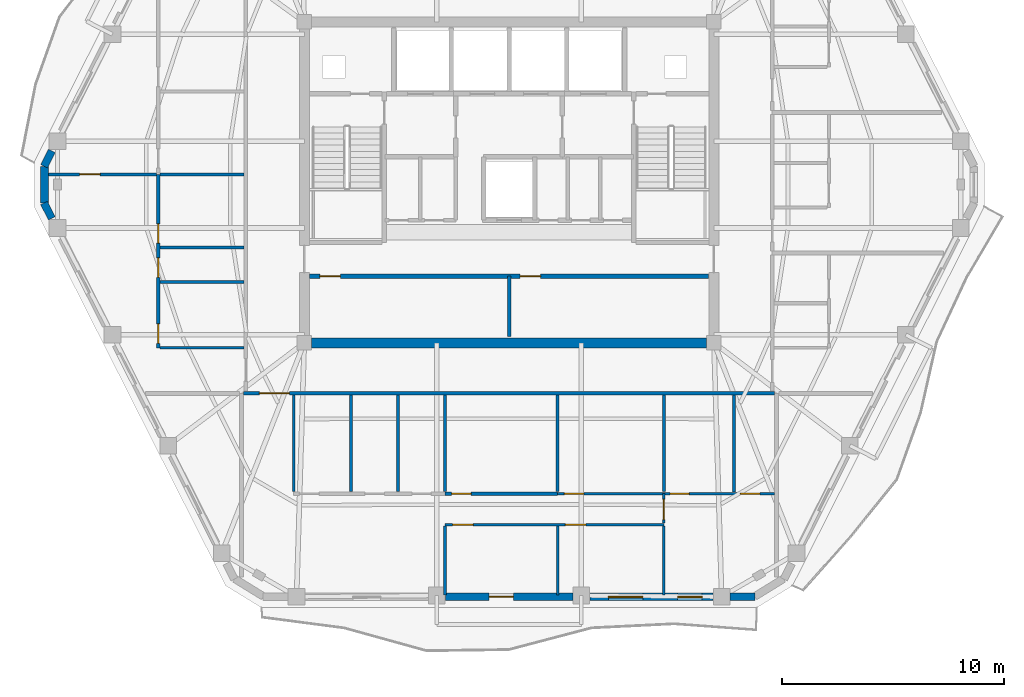
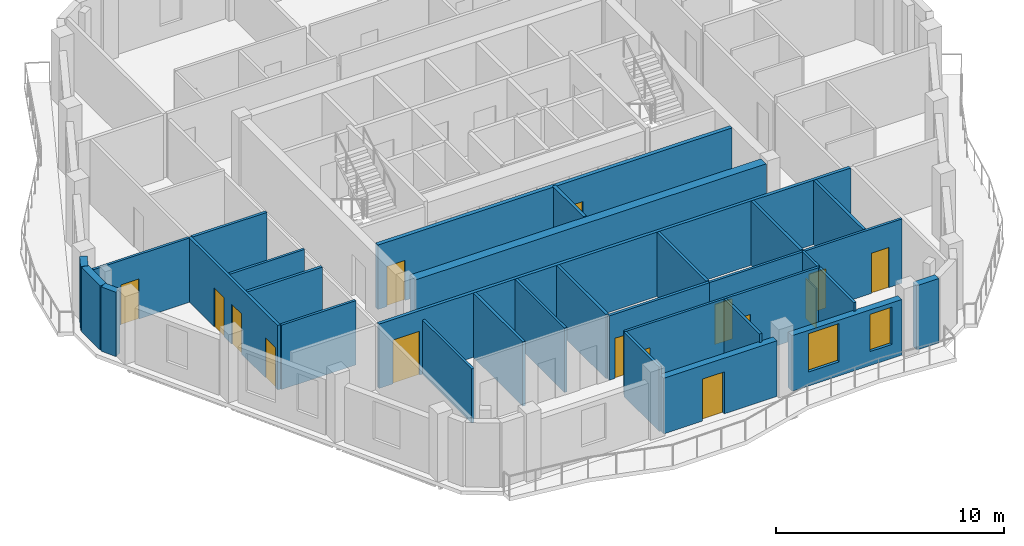
# One storey, part 4 of 11: 30 walls, 15 doors, 2 windows, 17 openings.
"""IFC4 building model written with IfcOpenShell, lengths in metres."""

from ifc_helpers import new_model, si_unit, direction, frame, frame_2d, origin, place, context, subcontext, project, spatial, rectangle, extrude, material, layer, layer_set, type_object, element, fill, save


model = new_model("IFC4")

# Units and contexts
model_context = context("Model", 3, precision=1e-05, world=origin(), true_north=direction((0.0, 1.0)))
body_context = subcontext(model_context, "Body", "Model", "MODEL_VIEW")
ifc_project = project(units=[si_unit("LENGTHUNIT", "METRE"), si_unit("AREAUNIT", "SQUARE_METRE"), si_unit("VOLUMEUNIT", "CUBIC_METRE"), si_unit("PLANEANGLEUNIT", "RADIAN"), si_unit("MASSUNIT", "GRAM", prefix="KILO")], contexts=[model_context])

# Site, building, storey
site_placement = place(None, origin())
site = spatial("IfcSite", under=ifc_project, at=site_placement, CompositionType="ELEMENT")
building_placement = place(site_placement, origin())
building = spatial("IfcBuilding", under=site, at=building_placement, Name="Cinnabar Lancet Tower", CompositionType="ELEMENT")
storey_placement = place(building_placement, frame((0.0, 0.0, 248.89990234375)))
storey = spatial("IfcBuildingStorey", under=building, at=storey_placement, Name="L66", CompositionType="ELEMENT", Elevation=248.89990234375)

# Wall
ifc_material_1 = material(Name="Acoustic twin-stud gypsum partition", Category="gypsum")
ifc_layer_1 = layer(ifc_material_1, 0.159912109375)
ifc_layer_set_1 = layer_set([ifc_layer_1], Name="Acoustic twin-stud gypsum partition")
wall_type_1 = type_object("IfcWallType", Name="ARC-WL-CORR-160", PredefinedType="PARTITIONING", material=ifc_layer_set_1)
wall_1_placement = place(storey_placement, frame((32.39990234375, 18.949951171875, 0.0), z_axis=(0.0, 0.0, 1.0), x_axis=(0.0, 1.0, 0.0)))
element("IfcWall", 1, at=wall_1_placement, inside=storey, type_object=wall_type_1, Name="CW-SB-3240-L66", PredefinedType="PARTITIONING", context=body_context, shape_type="SweptSolid", body=[
    extrude(rectangle(XDim=2.72998046875, YDim=0.159912109375, at=frame_2d((1.364990234375, 0.0))), origin(), (0.0, 0.0, 1.0), 3.4501953125),
])

# Wall, opening, door
wall_2_placement = place(storey_placement, frame((20.445068359375, 16.39990234375, 0.0), z_axis=(0.0, 0.0, 1.0), x_axis=(1.0, 0.0, 0.0)))
wall_2 = element("IfcWall", 2, at=wall_2_placement, inside=storey, type_object=wall_type_1, Name="L66 Unit S01 Corridor Wall", PredefinedType="PARTITIONING", context=body_context, shape_type="SweptSolid", body=[
    extrude(rectangle(XDim=23.909912109375, YDim=0.159912109375, at=frame_2d((11.955078125, 0.0))), origin(), (0.0, 0.0, 1.0), 3.4501953125),
])
opening_1_placement = place(wall_2_placement, frame((0.705078125, 0.0, 0.0)))
opening_1 = element("IfcOpeningElement", 3, at=opening_1_placement, cuts=wall_2, Name="Opening UD-02", PredefinedType="OPENING", context=body_context, shape_type="SweptSolid", body=[
    extrude(rectangle(XDim=1.35009765625, YDim=2.35009765625, at=frame_2d((0.675048828125, 1.175048828125))), frame((0.0, 0.08984375, 0.0), z_axis=(0.0, -1.0, 0.0), x_axis=(1.0, 0.0, 0.0)), (0.0, 0.0, 1.0), 0.179931640625),
])
ifc_material_2 = material(Name="Double-leaf solid timber penthouse entrance door", Category="wood")
door_type_1 = type_object("IfcDoorType", Name="ARC-DR-UNIT-PH", OperationType="NOTDEFINED", PredefinedType="DOOR", material=ifc_material_2)
door_1_placement = place(opening_1_placement, origin())
door_1 = element("IfcDoor", 4, at=door_1_placement, inside=storey, type_object=door_type_1, Name="DR-L66-S01-ENT", OperationType="SINGLE_SWING_LEFT", OverallHeight=2.35009765625, OverallWidth=1.35009765625, PredefinedType="DOOR", context=body_context, shape_type="SweptSolid", body=[
    extrude(rectangle(XDim=1.35009765625, YDim=2.35009765625, at=frame_2d((0.675048828125, 1.175048828125))), frame((0.0, 0.02490234375, 0.0), z_axis=(0.0, -1.0, 0.0), x_axis=(1.0, 0.0, 0.0)), (0.0, 0.0, 1.0), 0.050048828125),
])
fill(opening_1, door_1)

# Wall, openings, doors
ifc_material_3 = material(Name="Autoclaved aerated concrete blockwork", Category="masonry")
ifc_layer_2 = layer(ifc_material_3, 0.199951171875)
ifc_layer_set_2 = layer_set([ifc_layer_2], Name="Autoclaved aerated concrete blockwork")
wall_type_2 = type_object("IfcWallType", Name="ARC-WL-SHAFT-200", PredefinedType="PLUMBINGWALL", material=ifc_layer_set_2)
wall_3_placement = place(storey_placement, frame((23.419921875, 21.679931640625, 0.0), z_axis=(0.0, 0.0, 1.0), x_axis=(1.0, 0.0, 0.0)))
wall_3 = element("IfcWall", 5, at=wall_3_placement, inside=storey, type_object=wall_type_2, Name="CW-SBANDN-L66", PredefinedType="PLUMBINGWALL", context=body_context, shape_type="SweptSolid", body=[
    extrude(rectangle(XDim=17.9599609375, YDim=0.199951171875, at=frame_2d((8.97998046875, 0.0))), origin(), (0.0, 0.0, 1.0), 3.4501953125),
])
opening_2_placement = place(wall_3_placement, frame((0.4599609375, 0.0, 0.0)))
opening_2 = element("IfcOpeningElement", 6, at=opening_2_placement, cuts=wall_3, Name="Opening RD-01", PredefinedType="OPENING", context=body_context, shape_type="SweptSolid", body=[
    extrude(rectangle(XDim=0.919921875, YDim=2.14990234375, at=frame_2d((0.4599609375, 1.074951171875))), frame((0.0, 0.10986328125, 0.0), z_axis=(0.0, -1.0, 0.0), x_axis=(1.0, 0.0, 0.0)), (0.0, 0.0, 1.0), 0.219970703125),
])
opening_3_placement = place(wall_3_placement, frame((9.47998046875, 0.0, 0.0)))
opening_3 = element("IfcOpeningElement", 7, at=opening_3_placement, cuts=wall_3, Name="Opening RD-01", PredefinedType="OPENING", context=body_context, shape_type="SweptSolid", body=[
    extrude(rectangle(XDim=0.919921875, YDim=2.14990234375, at=frame_2d((0.4599609375, 1.074951171875))), frame((0.0, 0.10986328125, 0.0), z_axis=(0.0, -1.0, 0.0), x_axis=(1.0, 0.0, 0.0)), (0.0, 0.0, 1.0), 0.219970703125),
])
ifc_material_4 = material(Name="Engineered timber bedroom door", Category="wood")
door_type_2 = type_object("IfcDoorType", Name="ARC-DR-ROOM", OperationType="NOTDEFINED", PredefinedType="DOOR", material=ifc_material_4)
door_2_placement = place(opening_2_placement, origin())
door_2 = element("IfcDoor", 8, at=door_2_placement, inside=storey, type_object=door_type_2, Name="DR-L66-HREC1", OperationType="SINGLE_SWING_LEFT", OverallHeight=2.14990234375, OverallWidth=0.919921875, PredefinedType="DOOR", context=body_context, shape_type="SweptSolid", body=[
    extrude(rectangle(XDim=0.919921875, YDim=2.14990234375, at=frame_2d((0.4599609375, 1.074951171875))), frame((0.0, 0.02490234375, 0.0), z_axis=(0.0, -1.0, 0.0), x_axis=(1.0, 0.0, 0.0)), (0.0, 0.0, 1.0), 0.050048828125),
])
fill(opening_2, door_2)
door_3_placement = place(opening_3_placement, origin())
door_3 = element("IfcDoor", 9, at=door_3_placement, inside=storey, type_object=door_type_2, Name="DR-L66-HREC2", OperationType="SINGLE_SWING_RIGHT", OverallHeight=2.14990234375, OverallWidth=0.919921875, PredefinedType="DOOR", context=body_context, shape_type="SweptSolid", body=[
    extrude(rectangle(XDim=0.919921875, YDim=2.14990234375, at=frame_2d((0.4599609375, 1.074951171875))), frame((0.0, 0.02490234375, 0.0), z_axis=(0.0, -1.0, 0.0), x_axis=(1.0, 0.0, 0.0)), (0.0, 0.0, 1.0), 0.050048828125),
])
fill(opening_3, door_3)

# Wall
ifc_material_5 = material(Name="Gypsum plasterboard stud partition", Category="gypsum")
ifc_layer_3 = layer(ifc_material_5, 0.125)
ifc_layer_set_3 = layer_set([ifc_layer_3], Name="Gypsum plasterboard stud partition")
wall_type_3 = type_object("IfcWallType", Name="ARC-WL-UNIT-125", PredefinedType="PARTITIONING", material=ifc_layer_set_3)
wall_4_placement = place(storey_placement, frame((22.699951171875, 11.98388671875, 0.0), z_axis=(0.0, 0.0, 1.0), x_axis=(0.0, 1.0, 0.0)))
element("IfcWall", 10, at=wall_4_placement, inside=storey, type_object=wall_type_3, Name="UW-L66-S01-FOYE", PredefinedType="PARTITIONING", context=body_context, shape_type="SweptSolid", body=[
    extrude(rectangle(XDim=4.3310546875, YDim=0.125, at=frame_2d((2.16552734375, 0.0))), origin(), (0.0, 0.0, 1.0), 2.906982421875),
])

# Wall, openings, doors
wall_5_placement = place(storey_placement, frame((34.587890625, 11.87890625, 0.0), z_axis=(0.0, 0.0, 1.0), x_axis=(1.0, 0.0, 0.0)))
wall_5 = element("IfcWall", 11, at=wall_5_placement, inside=storey, type_object=wall_type_3, Name="UW-L66-S01-SP2", PredefinedType="PARTITIONING", context=body_context, shape_type="SweptSolid", body=[
    extrude(rectangle(XDim=9.76708984375, YDim=0.125, at=frame_2d((4.883544921875, 0.0))), origin(), (0.0, 0.0, 1.0), 3.4501953125),
])
opening_4_placement = place(wall_5_placement, frame((5.06201171875, 0.0, 0.0)))
opening_4 = element("IfcOpeningElement", 12, at=opening_4_placement, cuts=wall_5, Name="Opening BD-01", PredefinedType="OPENING", context=body_context, shape_type="SweptSolid", body=[
    extrude(rectangle(XDim=0.860107421875, YDim=2.10009765625, at=frame_2d((0.43017578125, 1.050048828125))), frame((0.0, 0.072509765625, 0.0), z_axis=(0.0, -1.0, 0.0), x_axis=(1.0, 0.0, 0.0)), (0.0, 0.0, 1.0), 0.14501953125),
])
opening_5_placement = place(wall_5_placement, frame((8.22607421875, 0.0, 0.0)))
opening_5 = element("IfcOpeningElement", 13, at=opening_5_placement, cuts=wall_5, Name="Opening RD-02", PredefinedType="OPENING", context=body_context, shape_type="SweptSolid", body=[
    extrude(rectangle(XDim=0.8798828125, YDim=2.14990234375, at=frame_2d((0.43994140625, 1.074951171875))), frame((0.0, 0.072509765625, 0.0), z_axis=(0.0, -1.0, 0.0), x_axis=(1.0, 0.0, 0.0)), (0.0, 0.0, 1.0), 0.14501953125),
])
opening_6_placement = place(wall_5_placement, frame((0.300048828125, 0.0, 0.0)))
opening_6 = element("IfcOpeningElement", 14, at=opening_6_placement, cuts=wall_5, Name="Opening RD-02", PredefinedType="OPENING", context=body_context, shape_type="SweptSolid", body=[
    extrude(rectangle(XDim=0.8798828125, YDim=2.14990234375, at=frame_2d((0.43994140625, 1.074951171875))), frame((0.0, 0.072509765625, 0.0), z_axis=(0.0, -1.0, 0.0), x_axis=(1.0, 0.0, 0.0)), (0.0, 0.0, 1.0), 0.14501953125),
])
ifc_material_6 = material(Name="Moisture-resistant timber bathroom door", Category="wood")
door_type_3 = type_object("IfcDoorType", Name="ARC-DR-BATH", OperationType="NOTDEFINED", PredefinedType="DOOR", material=ifc_material_6)
door_4_placement = place(opening_4_placement, origin())
door_4 = element("IfcDoor", 15, at=door_4_placement, inside=storey, type_object=door_type_3, Name="DR-L66-S01-ENS", OperationType="SINGLE_SWING_RIGHT", OverallHeight=2.10009765625, OverallWidth=0.860107421875, PredefinedType="DOOR", context=body_context, shape_type="SweptSolid", body=[
    extrude(rectangle(XDim=0.860107421875, YDim=2.10009765625, at=frame_2d((0.43017578125, 1.050048828125))), frame((0.0, 0.02490234375, 0.0), z_axis=(0.0, -1.0, 0.0), x_axis=(1.0, 0.0, 0.0)), (0.0, 0.0, 1.0), 0.050048828125),
])
fill(opening_4, door_4)
ifc_material_7 = material(Name="Engineered timber study door", Category="wood")
door_type_4 = type_object("IfcDoorType", Name="ARC-DR-STUDY", OperationType="NOTDEFINED", PredefinedType="DOOR", material=ifc_material_7)
door_5_placement = place(opening_5_placement, origin())
door_5 = element("IfcDoor", 16, at=door_5_placement, inside=storey, type_object=door_type_4, Name="DR-L66-S01-ENS-WDR", OperationType="SINGLE_SWING_LEFT", OverallHeight=2.14990234375, OverallWidth=0.8798828125, PredefinedType="DOOR", context=body_context, shape_type="SweptSolid", body=[
    extrude(rectangle(XDim=0.8798828125, YDim=2.14990234375, at=frame_2d((0.43994140625, 1.074951171875))), frame((0.0, 0.02490234375, 0.0), z_axis=(0.0, -1.0, 0.0), x_axis=(1.0, 0.0, 0.0)), (0.0, 0.0, 1.0), 0.050048828125),
])
fill(opening_5, door_5)
door_6_placement = place(opening_6_placement, origin())
door_6 = element("IfcDoor", 17, at=door_6_placement, inside=storey, type_object=door_type_4, Name="DR-L66-S01-DRS", OperationType="SINGLE_SWING_LEFT", OverallHeight=2.14990234375, OverallWidth=0.8798828125, PredefinedType="DOOR", context=body_context, shape_type="SweptSolid", body=[
    extrude(rectangle(XDim=0.8798828125, YDim=2.14990234375, at=frame_2d((0.43994140625, 1.074951171875))), frame((0.0, 0.02490234375, 0.0), z_axis=(0.0, -1.0, 0.0), x_axis=(1.0, 0.0, 0.0)), (0.0, 0.0, 1.0), 0.050048828125),
])
fill(opening_6, door_6)

# Walls
wall_6_placement = place(storey_placement, frame((27.39794921875, 11.98388671875, 0.0), z_axis=(0.0, 0.0, 1.0), x_axis=(0.0, 1.0, 0.0)))
element("IfcWall", 18, at=wall_6_placement, inside=storey, type_object=wall_type_3, Name="UW-L66-S01-STD", PredefinedType="PARTITIONING", context=body_context, shape_type="SweptSolid", body=[
    extrude(rectangle(XDim=4.3310546875, YDim=0.125, at=frame_2d((2.16552734375, 0.0))), origin(), (0.0, 0.0, 1.0), 3.4501953125),
])
wall_7_placement = place(storey_placement, frame((29.508056640625, 7.31494140625, 0.0), z_axis=(0.0, 0.0, 1.0), x_axis=(0.0, 1.0, 0.0)))
element("IfcWall", 19, at=wall_7_placement, inside=storey, type_object=wall_type_3, Name="UW-L66-S01-BD2W", PredefinedType="PARTITIONING", context=body_context, shape_type="SweptSolid", body=[
    extrude(rectangle(XDim=3.09912109375, YDim=0.125, at=frame_2d((1.549560546875, 0.0))), origin(), (0.0, 0.0, 1.0), 3.4501953125),
])

# Wall, openings, doors
wall_8_placement = place(storey_placement, frame((29.508056640625, 10.47900390625, 0.0), z_axis=(0.0, 0.0, 1.0), x_axis=(1.0, 0.0, 0.0)))
wall_8 = element("IfcWall", 20, at=wall_8_placement, inside=storey, type_object=wall_type_3, Name="UW-L66-S01-HLN", PredefinedType="PARTITIONING", context=body_context, shape_type="SweptSolid", body=[
    extrude(rectangle(XDim=9.862060546875, YDim=0.125, at=frame_2d((4.93115234375, 0.0))), origin(), (0.0, 0.0, 1.0), 3.4501953125),
])
opening_7_placement = place(wall_8_placement, frame((0.35009765625, 0.0, 0.0)))
opening_7 = element("IfcOpeningElement", 21, at=opening_7_placement, cuts=wall_8, Name="Opening RD-01", PredefinedType="OPENING", context=body_context, shape_type="SweptSolid", body=[
    extrude(rectangle(XDim=0.919921875, YDim=2.14990234375, at=frame_2d((0.4599609375, 1.074951171875))), frame((0.0, 0.072509765625, 0.0), z_axis=(0.0, -1.0, 0.0), x_axis=(1.0, 0.0, 0.0)), (0.0, 0.0, 1.0), 0.14501953125),
])
opening_8_placement = place(wall_8_placement, frame((5.429931640625, 0.0, 0.0)))
opening_8 = element("IfcOpeningElement", 22, at=opening_8_placement, cuts=wall_8, Name="Opening RD-01", PredefinedType="OPENING", context=body_context, shape_type="SweptSolid", body=[
    extrude(rectangle(XDim=0.919921875, YDim=2.14990234375, at=frame_2d((0.4599609375, 1.074951171875))), frame((0.0, 0.072509765625, 0.0), z_axis=(0.0, -1.0, 0.0), x_axis=(1.0, 0.0, 0.0)), (0.0, 0.0, 1.0), 0.14501953125),
])
door_7_placement = place(opening_7_placement, origin())
door_7 = element("IfcDoor", 23, at=door_7_placement, inside=storey, type_object=door_type_2, Name="DR-L66-S01-BD2", OperationType="SINGLE_SWING_RIGHT", OverallHeight=2.14990234375, OverallWidth=0.919921875, PredefinedType="DOOR", context=body_context, shape_type="SweptSolid", body=[
    extrude(rectangle(XDim=0.919921875, YDim=2.14990234375, at=frame_2d((0.4599609375, 1.074951171875))), frame((0.0, 0.02490234375, 0.0), z_axis=(0.0, -1.0, 0.0), x_axis=(1.0, 0.0, 0.0)), (0.0, 0.0, 1.0), 0.050048828125),
])
fill(opening_7, door_7)
door_8_placement = place(opening_8_placement, origin())
door_8 = element("IfcDoor", 24, at=door_8_placement, inside=storey, type_object=door_type_2, Name="DR-L66-S01-BD3", OperationType="SINGLE_SWING_LEFT", OverallHeight=2.14990234375, OverallWidth=0.919921875, PredefinedType="DOOR", context=body_context, shape_type="SweptSolid", body=[
    extrude(rectangle(XDim=0.919921875, YDim=2.14990234375, at=frame_2d((0.4599609375, 1.074951171875))), frame((0.0, 0.02490234375, 0.0), z_axis=(0.0, -1.0, 0.0), x_axis=(1.0, 0.0, 0.0)), (0.0, 0.0, 1.0), 0.050048828125),
])
fill(opening_8, door_8)

# Wall, opening, door
wall_9_placement = place(storey_placement, frame((39.3701171875, 10.549072265625, 0.0), z_axis=(0.0, 0.0, 1.0), x_axis=(0.0, 1.0, 0.0)))
wall_9 = element("IfcWall", 25, at=wall_9_placement, inside=storey, type_object=wall_type_3, Name="UW-L66-S01-MBE", PredefinedType="PARTITIONING", context=body_context, shape_type="SweptSolid", body=[
    extrude(rectangle(XDim=1.329833984375, YDim=0.125, at=frame_2d((0.6650390625, 0.0))), origin(), (0.0, 0.0, 1.0), 3.4501953125),
])
opening_9_placement = place(wall_9_placement, frame((0.159912109375, 0.0, 0.0)))
opening_9 = element("IfcOpeningElement", 26, at=opening_9_placement, cuts=wall_9, Name="Opening RD-01", PredefinedType="OPENING", context=body_context, shape_type="SweptSolid", body=[
    extrude(rectangle(XDim=0.919921875, YDim=2.14990234375, at=frame_2d((0.4599609375, 1.074951171875))), frame((0.0, 0.072509765625, 0.0), z_axis=(0.0, -1.0, 0.0), x_axis=(1.0, 0.0, 0.0)), (0.0, 0.0, 1.0), 0.14501953125),
])
door_9_placement = place(opening_9_placement, origin())
door_9 = element("IfcDoor", 27, at=door_9_placement, inside=storey, type_object=door_type_2, Name="DR-L66-S01-MBD", OperationType="SINGLE_SWING_RIGHT", OverallHeight=2.14990234375, OverallWidth=0.919921875, PredefinedType="DOOR", context=body_context, shape_type="SweptSolid", body=[
    extrude(rectangle(XDim=0.919921875, YDim=2.14990234375, at=frame_2d((0.4599609375, 1.074951171875))), frame((0.0, 0.02490234375, 0.0), z_axis=(0.0, -1.0, 0.0), x_axis=(1.0, 0.0, 0.0)), (0.0, 0.0, 1.0), 0.050048828125),
])
fill(opening_9, door_9)

# Walls
for number, where, z_axis, x_axis, name in (
    (28, (34.587890625, 7.31494140625, 0.0), (0.0, 0.0, 1.0), (0.0, 1.0, 0.0), "UW-L66-S01-MB2W"),
    (29, (39.3701171875, 7.31494140625, 0.0), (0.0, 0.0, 1.0), (0.0, 1.0, 0.0), "UW-L66-S01-B23W"),
):
    element("IfcWall", number, at=place(storey_placement, frame(where, z_axis=z_axis, x_axis=x_axis)), inside=storey, type_object=wall_type_3, Name=name, PredefinedType="PARTITIONING", context=body_context, shape_type="SweptSolid", body=[
        extrude(rectangle(XDim=3.09912109375, YDim=0.125, at=frame_2d((1.549560546875, 0.0))), origin(), (0.0, 0.0, 1.0), 3.4501953125),
    ])
wall_10_placement = place(storey_placement, frame((16.68505859375, 18.449951171875, 0.0), z_axis=(0.0, 0.0, 1.0), x_axis=(1.0, 0.0, 0.0)))
element("IfcWall", 30, at=wall_10_placement, inside=storey, type_object=wall_type_3, Name="UW-L66-W01-FOYN", PredefinedType="PARTITIONING", context=body_context, shape_type="SweptSolid", body=[
    extrude(rectangle(XDim=3.780029296875, YDim=0.125, at=frame_2d((1.89013671875, 0.0))), origin(), (0.0, 0.0, 1.0), 3.4501953125),
])

# Wall, opening, door
wall_11_placement = place(storey_placement, frame((11.659912109375, 26.258056640625, 0.0), z_axis=(0.0, 0.0, 1.0), x_axis=(1.0, 0.0, 0.0)))
wall_11 = element("IfcWall", 31, at=wall_11_placement, inside=storey, type_object=wall_type_3, Name="UW-L66-W01-MBN", PredefinedType="PARTITIONING", context=body_context, shape_type="SweptSolid", body=[
    extrude(rectangle(XDim=4.864990234375, YDim=0.125, at=frame_2d((2.4326171875, 0.0))), origin(), (0.0, 0.0, 1.0), 3.4501953125),
])
opening_10_placement = place(wall_11_placement, frame((1.39990234375, 0.0, 0.0)))
opening_10 = element("IfcOpeningElement", 32, at=opening_10_placement, cuts=wall_11, Name="Opening RD-01", PredefinedType="OPENING", context=body_context, shape_type="SweptSolid", body=[
    extrude(rectangle(XDim=0.919921875, YDim=2.14990234375, at=frame_2d((0.4599609375, 1.074951171875))), frame((0.0, 0.072509765625, 0.0), z_axis=(0.0, -1.0, 0.0), x_axis=(1.0, 0.0, 0.0)), (0.0, 0.0, 1.0), 0.14501953125),
])
door_10_placement = place(opening_10_placement, origin())
door_10 = element("IfcDoor", 33, at=door_10_placement, inside=storey, type_object=door_type_2, Name="DR-L66-W01-MBD", OperationType="SINGLE_SWING_LEFT", OverallHeight=2.14990234375, OverallWidth=0.919921875, PredefinedType="DOOR", context=body_context, shape_type="SweptSolid", body=[
    extrude(rectangle(XDim=0.919921875, YDim=2.14990234375, at=frame_2d((0.4599609375, 1.074951171875))), frame((0.0, 0.02490234375, 0.0), z_axis=(0.0, -1.0, 0.0), x_axis=(1.0, 0.0, 0.0)), (0.0, 0.0, 1.0), 0.050048828125),
])
fill(opening_10, door_10)

# Wall
wall_12_placement = place(storey_placement, frame((16.68505859375, 22.967041015625, 0.0), z_axis=(0.0, 0.0, 1.0), x_axis=(1.0, 0.0, 0.0)))
element("IfcWall", 34, at=wall_12_placement, inside=storey, type_object=wall_type_3, Name="UW-L66-W01-UDV", PredefinedType="PARTITIONING", context=body_context, shape_type="SweptSolid", body=[
    extrude(rectangle(XDim=3.780029296875, YDim=0.125, at=frame_2d((1.89013671875, 0.0))), origin(), (0.0, 0.0, 1.0), 3.4501953125),
])

# Wall, opening, door
ifc_material_8 = material(Name="Moisture-resistant cement-board plumbing wall", Category="masonry")
ifc_layer_4 = layer(ifc_material_8, 0.139892578125)
ifc_layer_set_4 = layer_set([ifc_layer_4], Name="Moisture-resistant cement-board plumbing wall")
wall_type_4 = type_object("IfcWallType", Name="ARC-WL-WET-140", PredefinedType="PLUMBINGWALL", material=ifc_layer_set_4)
wall_13_placement = place(storey_placement, frame((29.508056640625, 11.87890625, 0.0), z_axis=(0.0, 0.0, 1.0), x_axis=(1.0, 0.0, 0.0)))
wall_13 = element("IfcWall", 35, at=wall_13_placement, inside=storey, type_object=wall_type_4, Name="UW-L66-S01-SPM", PredefinedType="PLUMBINGWALL", context=body_context, shape_type="SweptSolid", body=[
    extrude(rectangle(XDim=5.079833984375, YDim=0.139892578125, at=frame_2d((2.5400390625, 0.0))), origin(), (0.0, 0.0, 1.0), 3.4501953125),
])
opening_11_placement = place(wall_13_placement, frame((0.300048828125, 0.0, 0.0)))
opening_11 = element("IfcOpeningElement", 36, at=opening_11_placement, cuts=wall_13, Name="Opening RD-02", PredefinedType="OPENING", context=body_context, shape_type="SweptSolid", body=[
    extrude(rectangle(XDim=0.8798828125, YDim=2.14990234375, at=frame_2d((0.43994140625, 1.074951171875))), frame((0.0, 0.079833984375, 0.0), z_axis=(0.0, -1.0, 0.0), x_axis=(1.0, 0.0, 0.0)), (0.0, 0.0, 1.0), 0.159912109375),
])
door_11_placement = place(opening_11_placement, origin())
door_11 = element("IfcDoor", 37, at=door_11_placement, inside=storey, type_object=door_type_4, Name="DR-L66-S01-UTL", OperationType="SINGLE_SWING_LEFT", OverallHeight=2.14990234375, OverallWidth=0.8798828125, PredefinedType="DOOR", context=body_context, shape_type="SweptSolid", body=[
    extrude(rectangle(XDim=0.8798828125, YDim=2.14990234375, at=frame_2d((0.43994140625, 1.074951171875))), frame((0.0, 0.02490234375, 0.0), z_axis=(0.0, -1.0, 0.0), x_axis=(1.0, 0.0, 0.0)), (0.0, 0.0, 1.0), 0.050048828125),
])
fill(opening_11, door_11)

# Walls
for number, where, z_axis, x_axis, name in (
    (38, (25.287109375, 11.98388671875, 0.0), (0.0, 0.0, 1.0), (0.0, 1.0, 0.0), "UW-L66-S01-KDV"),
    (39, (29.508056640625, 11.98388671875, 0.0), (0.0, 0.0, 1.0), (0.0, 1.0, 0.0), "UW-L66-S01-ENSW"),
    (40, (34.587890625, 11.98388671875, 0.0), (0.0, 0.0, 1.0), (0.0, 1.0, 0.0), "UW-L66-S01-ENSE"),
    (41, (39.3701171875, 11.98388671875, 0.0), (0.0, 0.0, 1.0), (0.0, 1.0, 0.0), "UW-L66-S01-UT3"),
):
    element("IfcWall", number, at=place(storey_placement, frame(where, z_axis=z_axis, x_axis=x_axis)), inside=storey, type_object=wall_type_4, Name=name, PredefinedType="PLUMBINGWALL", context=body_context, shape_type="SweptSolid", body=[
        extrude(rectangle(XDim=4.3310546875, YDim=0.139892578125, at=frame_2d((2.16552734375, 0.0))), origin(), (0.0, 0.0, 1.0), 3.4501953125),
    ])
wall_14_placement = place(storey_placement, frame((42.533935546875, 11.964111328125, 0.0), z_axis=(0.0, 0.0, 1.0), x_axis=(0.0, 1.0, 0.0)))
element("IfcWall", 42, at=wall_14_placement, inside=storey, type_object=wall_type_4, Name="UW-L66-S01-ENS-WDV", PredefinedType="PLUMBINGWALL", context=body_context, shape_type="SweptSolid", body=[
    extrude(rectangle(XDim=4.350830078125, YDim=0.139892578125, at=frame_2d((2.17529296875, 0.0))), origin(), (0.0, 0.0, 1.0), 3.4501953125),
])

# Wall, openings, doors
wall_15_placement = place(storey_placement, frame((16.60009765625, 18.449951171875, 0.0), z_axis=(0.0, 0.0, 1.0), x_axis=(0.0, 1.0, 0.0)))
wall_15 = element("IfcWall", 43, at=wall_15_placement, inside=storey, type_object=wall_type_4, Name="UW-L66-W01-SPL", PredefinedType="PLUMBINGWALL", context=body_context, shape_type="SweptSolid", body=[
    extrude(rectangle(XDim=7.80810546875, YDim=0.139892578125, at=frame_2d((3.904052734375, 0.0))), origin(), (0.0, 0.0, 1.0), 3.4501953125),
])
opening_12_placement = place(wall_15_placement, frame((0.199951171875, 0.0, 0.0)))
opening_12 = element("IfcOpeningElement", 44, at=opening_12_placement, cuts=wall_15, Name="Opening RD-02", PredefinedType="OPENING", context=body_context, shape_type="SweptSolid", body=[
    extrude(rectangle(XDim=0.8798828125, YDim=2.14990234375, at=frame_2d((0.43994140625, 1.074951171875))), frame((0.0, 0.079833984375, 0.0), z_axis=(0.0, -1.0, 0.0), x_axis=(1.0, 0.0, 0.0)), (0.0, 0.0, 1.0), 0.159912109375),
])
opening_13_placement = place(wall_15_placement, frame((3.1669921875, 0.0, 0.0)))
opening_13 = element("IfcOpeningElement", 45, at=opening_13_placement, cuts=wall_15, Name="Opening RD-02", PredefinedType="OPENING", context=body_context, shape_type="SweptSolid", body=[
    extrude(rectangle(XDim=0.8798828125, YDim=2.14990234375, at=frame_2d((0.43994140625, 1.074951171875))), frame((0.0, 0.079833984375, 0.0), z_axis=(0.0, -1.0, 0.0), x_axis=(1.0, 0.0, 0.0)), (0.0, 0.0, 1.0), 0.159912109375),
])
opening_14_placement = place(wall_15_placement, frame((4.717041015625, 0.0, 0.0)))
opening_14 = element("IfcOpeningElement", 46, at=opening_14_placement, cuts=wall_15, Name="Opening BD-01", PredefinedType="OPENING", context=body_context, shape_type="SweptSolid", body=[
    extrude(rectangle(XDim=0.860107421875, YDim=2.10009765625, at=frame_2d((0.43017578125, 1.050048828125))), frame((0.0, 0.079833984375, 0.0), z_axis=(0.0, -1.0, 0.0), x_axis=(1.0, 0.0, 0.0)), (0.0, 0.0, 1.0), 0.159912109375),
])
door_12_placement = place(opening_14_placement, origin())
door_12 = element("IfcDoor", 47, at=door_12_placement, inside=storey, type_object=door_type_3, Name="DR-L66-W01-BTH", OperationType="SINGLE_SWING_RIGHT", OverallHeight=2.10009765625, OverallWidth=0.860107421875, PredefinedType="DOOR", context=body_context, shape_type="SweptSolid", body=[
    extrude(rectangle(XDim=0.860107421875, YDim=2.10009765625, at=frame_2d((0.43017578125, 1.050048828125))), frame((0.0, 0.02490234375, 0.0), z_axis=(0.0, -1.0, 0.0), x_axis=(1.0, 0.0, 0.0)), (0.0, 0.0, 1.0), 0.050048828125),
])
fill(opening_14, door_12)
door_13_placement = place(opening_12_placement, origin())
door_13 = element("IfcDoor", 48, at=door_13_placement, inside=storey, type_object=door_type_4, Name="DR-L66-W01-KIT", OperationType="SINGLE_SWING_RIGHT", OverallHeight=2.14990234375, OverallWidth=0.8798828125, PredefinedType="DOOR", context=body_context, shape_type="SweptSolid", body=[
    extrude(rectangle(XDim=0.8798828125, YDim=2.14990234375, at=frame_2d((0.43994140625, 1.074951171875))), frame((0.0, 0.02490234375, 0.0), z_axis=(0.0, -1.0, 0.0), x_axis=(1.0, 0.0, 0.0)), (0.0, 0.0, 1.0), 0.050048828125),
])
fill(opening_12, door_13)
door_14_placement = place(opening_13_placement, origin())
door_14 = element("IfcDoor", 49, at=door_14_placement, inside=storey, type_object=door_type_4, Name="DR-L66-W01-UTL", OperationType="SINGLE_SWING_LEFT", OverallHeight=2.14990234375, OverallWidth=0.8798828125, PredefinedType="DOOR", context=body_context, shape_type="SweptSolid", body=[
    extrude(rectangle(XDim=0.8798828125, YDim=2.14990234375, at=frame_2d((0.43994140625, 1.074951171875))), frame((0.0, 0.02490234375, 0.0), z_axis=(0.0, -1.0, 0.0), x_axis=(1.0, 0.0, 0.0)), (0.0, 0.0, 1.0), 0.050048828125),
])
fill(opening_13, door_14)

# Walls
for number, where, z_axis, x_axis, name in (
    (50, (16.68505859375, 26.258056640625, 0.0), (0.0, 0.0, 1.0), (1.0, 0.0, 0.0), "UW-L66-W01-ENSN"),
    (51, (16.68505859375, 21.4169921875, 0.0), (0.0, 0.0, 1.0), (1.0, 0.0, 0.0), "UW-L66-W01-KDV"),
):
    element("IfcWall", number, at=place(storey_placement, frame(where, z_axis=z_axis, x_axis=x_axis)), inside=storey, type_object=wall_type_4, Name=name, PredefinedType="PLUMBINGWALL", context=body_context, shape_type="SweptSolid", body=[
        extrude(rectangle(XDim=3.780029296875, YDim=0.139892578125, at=frame_2d((1.89013671875, 0.0))), origin(), (0.0, 0.0, 1.0), 3.4501953125),
    ])
ifc_material_9 = material(Name="Cinnabar red clay brick", Category="masonry")
ifc_layer_5 = layer(ifc_material_9, 0.340087890625)
ifc_layer_set_5 = layer_set([ifc_layer_5], Name="Cinnabar red clay brick")
wall_type_5 = type_object("IfcWallType", Name="ENV-WL-BRK-RED-340", PredefinedType="STANDARD", material=ifc_layer_set_5)
wall_16_placement = place(storey_placement, frame((11.47705078125, 26.6201171875, 0.0), z_axis=(0.0, 0.0, 1.0), x_axis=(0.0, -1.0, 0.0)))
element("IfcWall", 52, at=wall_16_placement, inside=storey, type_object=wall_type_5, Name="L66 Chamfered Corner Brick Pier 6.1", PredefinedType="STANDARD", context=body_context, shape_type="SweptSolid", body=[
    extrude(rectangle(XDim=1.64013671875, YDim=0.340087890625, at=frame_2d((0.820068359375, 0.0))), origin(), (0.0, 0.0, 1.0), 3.4501953125),
])

# Wall, opening, door
wall_17_placement = place(storey_placement, frame((29.52490234375, 7.22998046875, 0.0), z_axis=(0.0, 0.0, 1.0), x_axis=(1.0, 0.0, 0.0)))
wall_17 = element("IfcWall", 53, at=wall_17_placement, inside=storey, type_object=wall_type_5, Name="L66 Face 1 Masonry Bay Wall 3", PredefinedType="STANDARD", context=body_context, shape_type="SweptSolid", body=[
    extrude(rectangle(XDim=5.75, YDim=0.340087890625, at=frame_2d((2.875, 0.0))), origin(), (0.0, 0.0, 1.0), 2.983154296875),
])
opening_15_placement = place(wall_17_placement, frame((1.972900390625, 0.0, 0.0)))
opening_15 = element("IfcOpeningElement", 54, at=opening_15_placement, cuts=wall_17, Name="Opening TD-01", PredefinedType="OPENING", context=body_context, shape_type="SweptSolid", body=[
    extrude(rectangle(XDim=1.10009765625, YDim=2.25, at=frame_2d((0.550048828125, 1.125))), frame((0.0, 0.179931640625, 0.0), z_axis=(0.0, -1.0, 0.0), x_axis=(1.0, 0.0, 0.0)), (0.0, 0.0, 1.0), 0.360107421875),
])
ifc_material_10 = material(Name="Thermally broken low-E glazed balcony terrace door", Category="wood")
door_type_5 = type_object("IfcDoorType", Name="ARC-DR-BALC", OperationType="NOTDEFINED", PredefinedType="DOOR", material=ifc_material_10)
door_15_placement = place(opening_15_placement, origin())
door_15 = element("IfcDoor", 55, at=door_15_placement, inside=storey, type_object=door_type_5, Name="L66 Face 1 Glazed Terrace Door", OperationType="SINGLE_SWING_RIGHT", OverallHeight=2.25, OverallWidth=1.10009765625, PredefinedType="DOOR", context=body_context, shape_type="SweptSolid", body=[
    extrude(rectangle(XDim=1.10009765625, YDim=2.25, at=frame_2d((0.550048828125, 1.125))), frame((0.0, 0.02490234375, 0.0), z_axis=(0.0, -1.0, 0.0), x_axis=(1.0, 0.0, 0.0)), (0.0, 0.0, 1.0), 0.050048828125),
])
fill(opening_15, door_15)

# Wall, openings, windows
wall_18_placement = place(storey_placement, frame((36.032958984375, 7.22998046875, 0.0), z_axis=(0.0, 0.0, 1.0), x_axis=(1.0, 0.0, 0.0)))
wall_18 = element("IfcWall", 56, at=wall_18_placement, inside=storey, type_object=wall_type_5, Name="L66 Face 1 Masonry Bay Wall 4", PredefinedType="STANDARD", context=body_context, shape_type="SweptSolid", body=[
    extrude(rectangle(XDim=5.56005859375, YDim=0.340087890625, at=frame_2d((2.780029296875, 0.0))), origin(), (0.0, 0.0, 1.0), 2.983154296875),
])
opening_16_placement = place(wall_18_placement, frame((0.8369140625, 0.0, 0.75)))
opening_16 = element("IfcOpeningElement", 57, at=opening_16_placement, cuts=wall_18, Name="Opening WN-01", PredefinedType="OPENING", context=body_context, shape_type="SweptSolid", body=[
    extrude(rectangle(XDim=1.550048828125, YDim=2.050048828125, at=frame_2d((0.77490234375, 1.02490234375))), frame((0.0, 0.179931640625, 0.0), z_axis=(0.0, -1.0, 0.0), x_axis=(1.0, 0.0, 0.0)), (0.0, 0.0, 1.0), 0.360107421875),
])
opening_17_placement = place(wall_18_placement, frame((3.955078125, 0.0, 0.75)))
opening_17 = element("IfcOpeningElement", 58, at=opening_17_placement, cuts=wall_18, Name="Opening WN-04", PredefinedType="OPENING", context=body_context, shape_type="SweptSolid", body=[
    extrude(rectangle(XDim=1.10009765625, YDim=2.0, at=frame_2d((0.550048828125, 1.0))), frame((0.0, 0.179931640625, 0.0), z_axis=(0.0, -1.0, 0.0), x_axis=(1.0, 0.0, 0.0)), (0.0, 0.0, 1.0), 0.360107421875),
])
ifc_material_11 = material(Name="Thermally broken bronze-anodized aluminium tall lancet window", Category="aluminium")
window_type_1 = type_object("IfcWindowType", Name="ENV-WN-LANCET-1100", PartitioningType="SINGLE_PANEL", PredefinedType="WINDOW", material=ifc_material_11)
window_1_placement = place(opening_17_placement, origin())
window_1 = element("IfcWindow", 59, at=window_1_placement, inside=storey, type_object=window_type_1, Name="L66 Split-Bay Gothic Lancet Window 233", OverallHeight=2.0, OverallWidth=1.10009765625, PartitioningType="SINGLE_PANEL", PredefinedType="WINDOW", context=body_context, shape_type="SweptSolid", body=[
    extrude(rectangle(XDim=1.10009765625, YDim=2.0, at=frame_2d((0.550048828125, 1.0))), frame((0.0, 0.030029296875, 0.0), z_axis=(0.0, -1.0, 0.0), x_axis=(1.0, 0.0, 0.0)), (0.0, 0.0, 1.0), 0.06005859375),
])
fill(opening_17, window_1)
ifc_material_12 = material(Name="Thermally broken bronze-anodized aluminium low-E double glazing", Category="aluminium")
window_type_2 = type_object("IfcWindowType", Name="ENV-WN-LANCET-1550", PartitioningType="SINGLE_PANEL", PredefinedType="WINDOW", material=ifc_material_12)
window_2_placement = place(opening_16_placement, origin())
window_2 = element("IfcWindow", 60, at=window_2_placement, inside=storey, type_object=window_type_2, Name="L66 Face 1 Gothic Lancet Window 4", OverallHeight=2.050048828125, OverallWidth=1.550048828125, PartitioningType="SINGLE_PANEL", PredefinedType="WINDOW", context=body_context, shape_type="SweptSolid", body=[
    extrude(rectangle(XDim=1.550048828125, YDim=2.050048828125, at=frame_2d((0.77490234375, 1.02490234375))), frame((0.0, 0.030029296875, 0.0), z_axis=(0.0, -1.0, 0.0), x_axis=(1.0, 0.0, 0.0)), (0.0, 0.0, 1.0), 0.06005859375),
])
fill(opening_16, window_2)

# Walls
wall_19_placement = place(storey_placement, frame((42.35107421875, 7.22998046875, 0.0), z_axis=(0.0, 0.0, 1.0), x_axis=(1.0, 0.0, 0.0)))
element("IfcWall", 61, at=wall_19_placement, inside=storey, type_object=wall_type_5, Name="L66 Face 1 Masonry Bay Wall 5", PredefinedType="STANDARD", context=body_context, shape_type="SweptSolid", body=[
    extrude(rectangle(XDim=1.123046875, YDim=0.340087890625, at=frame_2d((0.5615234375, 0.0))), origin(), (0.0, 0.0, 1.0), 3.4501953125),
])
for number, where, z_axis, x_axis, name in (
    (62, (11.803955078125, 27.31591796875, 0.0), (0.0, 0.0, 1.0), (-0.45075284655, -0.892648795063, 0.0), "L66 Face 5 Masonry Bay Wall 5"),
    (63, (11.4560546875, 24.972900390625, 0.0), (0.0, 0.0, 1.0), (0.45075284655, -0.892648795063, 0.0), "L66 Face 6 Masonry Bay Wall 1"),
):
    element("IfcWall", number, at=place(storey_placement, frame(where, z_axis=z_axis, x_axis=x_axis)), inside=storey, type_object=wall_type_5, Name=name, PredefinedType="STANDARD", context=body_context, shape_type="SweptSolid", body=[
        extrude(rectangle(XDim=0.771728515625, YDim=0.340087890625, at=frame_2d((0.3857421875, 0.0))), origin(), (0.0, 0.0, 1.0), 3.4501953125),
    ])
ifc_material_13 = material(Name="Concrete C50/60", Category="concrete")
ifc_layer_6 = layer(ifc_material_13, 0.449951171875)
ifc_layer_set_6 = layer_set([ifc_layer_6], Name="Concrete C50/60")
wall_type_6 = type_object("IfcWallType", Name="STR-WL-CORE-450", PredefinedType="SHEAR", material=ifc_layer_set_6)
wall_20_placement = place(storey_placement, frame((23.5, 18.675048828125, 0.0), z_axis=(0.0, 0.0, 1.0), x_axis=(1.0, 0.0, 0.0)))
element("IfcWall", 64, at=wall_20_placement, inside=storey, type_object=wall_type_6, Name="L66 Core Shear Wall S", PredefinedType="SHEAR", context=body_context, shape_type="SweptSolid", body=[
    extrude(rectangle(XDim=17.800048828125, YDim=0.449951171875, at=frame_2d((8.89990234375, 0.0))), origin(), (0.0, 0.0, 1.0), 3.4501953125),
])

save(model, "model.ifc")
